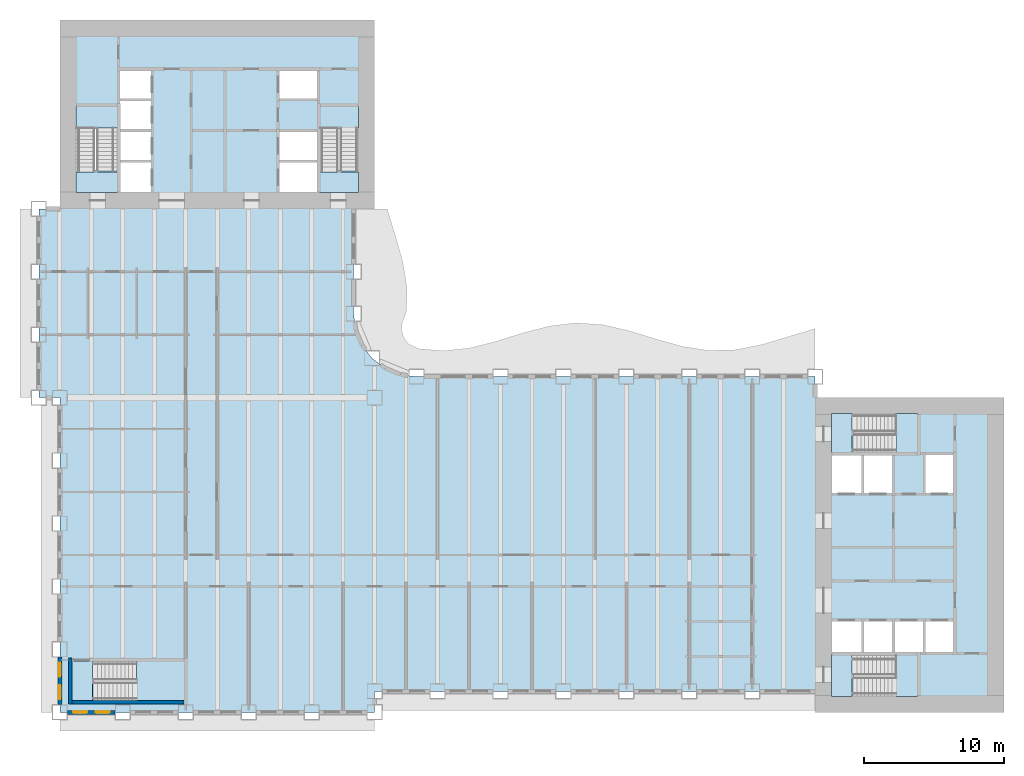
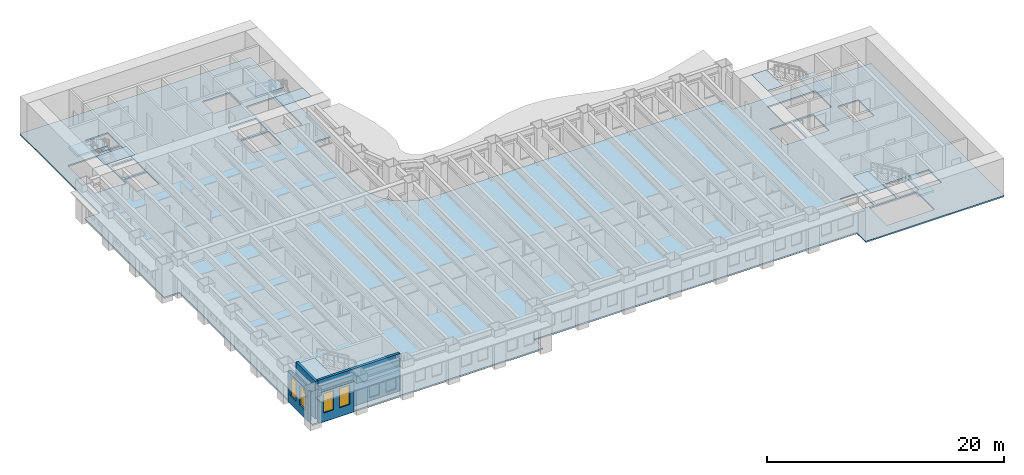
# One storey, part 2 of 15: 11 slabs, 4 walls, 4 windows, 4 openings, 5 elements without a shape of their own.
"""IFC4 building model written with IfcOpenShell, lengths in metres."""

from ifc_helpers import new_model, si_unit, direction, frame, frame_2d, origin, place, context, subcontext, project, spatial, polyline, rectangle, outline, extrude, material, layer, layer_set, type_object, element, fill, aggregate, save


model = new_model("IFC4")

# Units and contexts
model_context = context("Model", 3, precision=1e-05, world=origin(), true_north=direction((0.0, 1.0)))
body_context = subcontext(model_context, "Body", "Model", "MODEL_VIEW")
ifc_project = project(units=[si_unit("LENGTHUNIT", "METRE"), si_unit("AREAUNIT", "SQUARE_METRE"), si_unit("VOLUMEUNIT", "CUBIC_METRE"), si_unit("PLANEANGLEUNIT", "RADIAN"), si_unit("MASSUNIT", "GRAM", prefix="KILO")], contexts=[model_context])

# Site, building, storey
site_placement = place(None, origin())
site = spatial("IfcSite", under=ifc_project, at=site_placement, CompositionType="ELEMENT")
building_placement = place(site_placement, origin())
building = spatial("IfcBuilding", under=site, at=building_placement, Name="Sennacour Bend Tower", CompositionType="ELEMENT")
storey_placement = place(building_placement, frame((0.0, 0.0, 37.0)))
storey = spatial("IfcBuildingStorey", under=building, at=storey_placement, Name="L07", CompositionType="ELEMENT", Elevation=37.0)

# Slabs
ifc_material_1 = material(Name="Concrete C30/37", Category="concrete")
ifc_layer_1 = layer(ifc_material_1, 0.14990234375, Name="Concrete C30/37", Category="concrete")
ifc_layer_set_1 = layer_set([ifc_layer_1], Name="Concrete C30/37")
slab_type_1 = type_object("IfcSlabType", Name="Floor slab 150", PredefinedType="FLOOR", material=ifc_layer_set_1)
slab_1_placement = place(storey_placement, frame((0.0, 0.0, -0.14990234375)))
element("IfcSlab", 1, at=slab_1_placement, inside=storey, type_object=slab_type_1, Name="Floor slab L07-01", PredefinedType="FLOOR", context=body_context, shape_type="SweptSolid", body=[
    extrude(outline(polyline([(0.0, 22.5), (-1.5, 22.5), (-1.5, 36.0), (0.0, 36.0), (0.0, 49.5), (22.5, 49.5), (22.5, 36.0), (21.0, 36.0), (21.0, 28.5), (21.1533203125, 27.335205078125), (21.602783203125, 26.25), (22.318115234375, 25.318115234375), (23.25, 24.602783203125), (24.335205078125, 24.1533203125), (25.5, 24.0), (54.0, 24.0), (54.0, 22.5), (67.5, 22.5), (67.5, 0.0), (54.0, 0.0), (54.0, 1.5), (22.5, 1.5), (22.5, 0.0), (0.0, 0.0), (0.0, 22.5)]), holes=[polyline([(8.800048828125, 0.949951171875), (8.800048828125, 3.5), (2.429931640625, 3.5), (2.429931640625, 0.949951171875), (8.800048828125, 0.949951171875)]), polyline([(6.5, 37.199951171875), (6.5, 39.300048828125), (4.300048828125, 39.300048828125), (4.300048828125, 37.199951171875), (6.5, 37.199951171875)]), polyline([(18.39990234375, 37.199951171875), (18.39990234375, 39.300048828125), (15.699951171875, 39.300048828125), (15.699951171875, 37.199951171875), (18.39990234375, 37.199951171875)]), polyline([(6.5, 39.5), (6.5, 41.5), (4.300048828125, 41.5), (4.300048828125, 39.5), (6.5, 39.5)]), polyline([(18.39990234375, 39.5), (18.39990234375, 41.5), (15.699951171875, 41.5), (15.699951171875, 39.5), (18.39990234375, 39.5)]), polyline([(4.125, 38.72998046875), (4.125, 43.39990234375), (1.14990234375, 43.39990234375), (1.14990234375, 38.72998046875), (4.125, 38.72998046875)]), polyline([(21.35009765625, 38.72998046875), (21.35009765625, 43.39990234375), (18.574951171875, 43.39990234375), (18.574951171875, 38.72998046875), (21.35009765625, 38.72998046875)]), polyline([(4.300048828125, 41.699951171875), (6.5, 41.699951171875), (6.5, 43.699951171875), (4.300048828125, 43.699951171875), (4.300048828125, 41.699951171875)]), polyline([(4.300048828125, 43.89990234375), (6.5, 43.89990234375), (6.5, 45.89990234375), (4.300048828125, 45.89990234375), (4.300048828125, 43.89990234375)]), polyline([(18.39990234375, 43.89990234375), (18.39990234375, 45.89990234375), (15.699951171875, 45.89990234375), (15.699951171875, 43.89990234375), (18.39990234375, 43.89990234375)]), polyline([(61.39990234375, 1.14990234375), (61.39990234375, 4.125), (56.72998046875, 4.125), (56.72998046875, 1.14990234375), (61.39990234375, 1.14990234375)]), polyline([(57.300048828125, 4.300048828125), (57.300048828125, 6.5), (55.199951171875, 6.5), (55.199951171875, 4.300048828125), (57.300048828125, 4.300048828125)]), polyline([(57.5, 4.300048828125), (59.5, 4.300048828125), (59.5, 6.5), (57.5, 6.5), (57.5, 4.300048828125)]), polyline([(59.699951171875, 4.300048828125), (61.699951171875, 4.300048828125), (61.699951171875, 6.5), (59.699951171875, 6.5), (59.699951171875, 4.300048828125)]), polyline([(63.89990234375, 4.300048828125), (63.89990234375, 6.5), (61.89990234375, 6.5), (61.89990234375, 4.300048828125), (63.89990234375, 4.300048828125)]), polyline([(57.300048828125, 15.699951171875), (57.300048828125, 18.39990234375), (55.199951171875, 18.39990234375), (55.199951171875, 15.699951171875), (57.300048828125, 15.699951171875)]), polyline([(59.5, 15.699951171875), (59.5, 18.39990234375), (57.5, 18.39990234375), (57.5, 15.699951171875), (59.5, 15.699951171875)]), polyline([(61.89990234375, 15.699951171875), (63.89990234375, 15.699951171875), (63.89990234375, 18.39990234375), (61.89990234375, 18.39990234375), (61.89990234375, 15.699951171875)]), polyline([(56.72998046875, 18.574951171875), (61.39990234375, 18.574951171875), (61.39990234375, 21.35009765625), (56.72998046875, 21.35009765625), (56.72998046875, 18.574951171875)])]), origin(), (0.0, 0.0, 1.0), 0.14990234375),
])
ifc_material_2 = material(Name="Concrete C40/50", Category="concrete")
ifc_layer_2 = layer(ifc_material_2, 0.034912109375, Name="Concrete C40/50", Category="concrete")
ifc_layer_set_2 = layer_set([ifc_layer_2], Name="Concrete C40/50")
slab_type_2 = type_object("IfcSlabType", Name="Stair arrival nib 35", PredefinedType="FLOOR", material=ifc_layer_set_2)
slab_2_placement = place(storey_placement, frame((0.0, 0.0, 3.815185546875)))
element("IfcSlab", 2, at=slab_2_placement, inside=storey, type_object=slab_type_2, Name="L07 SA1 stair arrival nib", PredefinedType="FLOOR", context=body_context, shape_type="SweptSolid", body=[
    extrude(outline(polyline([(56.64208984375, 4.125), (55.14990234375, 4.125), (55.14990234375, 1.14990234375), (56.64208984375, 1.14990234375), (56.64208984375, 4.125)])), origin(), (0.0, 0.0, 1.0), 0.034912109375),
])
slab_3_placement = place(storey_placement, frame((0.0, 0.0, 3.815185546875)))
element("IfcSlab", 3, at=slab_3_placement, inside=storey, type_object=slab_type_2, Name="L07 SA2 stair arrival nib", PredefinedType="FLOOR", context=body_context, shape_type="SweptSolid", body=[
    extrude(outline(polyline([(56.64208984375, 21.35009765625), (55.14990234375, 21.35009765625), (55.14990234375, 18.574951171875), (56.64208984375, 18.574951171875), (56.64208984375, 21.35009765625)])), origin(), (0.0, 0.0, 1.0), 0.034912109375),
])
slab_4_placement = place(storey_placement, frame((0.0, 0.0, 3.815185546875)))
element("IfcSlab", 4, at=slab_4_placement, inside=storey, type_object=slab_type_2, Name="L07 SB1 stair arrival nib", PredefinedType="FLOOR", context=body_context, shape_type="SweptSolid", body=[
    extrude(outline(polyline([(1.14990234375, 38.64208984375), (1.14990234375, 37.14990234375), (4.125, 37.14990234375), (4.125, 38.64208984375), (1.14990234375, 38.64208984375)])), origin(), (0.0, 0.0, 1.0), 0.034912109375),
])
slab_5_placement = place(storey_placement, frame((0.0, 0.0, 3.815185546875)))
element("IfcSlab", 5, at=slab_5_placement, inside=storey, type_object=slab_type_2, Name="L07 SB2 stair arrival nib", PredefinedType="FLOOR", context=body_context, shape_type="SweptSolid", body=[
    extrude(outline(polyline([(18.574951171875, 38.64208984375), (18.574951171875, 37.14990234375), (21.35009765625, 37.14990234375), (21.35009765625, 38.64208984375), (18.574951171875, 38.64208984375)])), origin(), (0.0, 0.0, 1.0), 0.034912109375),
])
slab_6_placement = place(storey_placement, frame((0.0, 0.0, 3.815185546875)))
element("IfcSlab", 6, at=slab_6_placement, inside=storey, type_object=slab_type_2, Name="L07 SK1 stair arrival nib", PredefinedType="FLOOR", context=body_context, shape_type="SweptSolid", body=[
    extrude(outline(polyline([(2.342041015625, 3.675048828125), (0.800048828125, 3.675048828125), (0.800048828125, 0.800048828125), (2.342041015625, 0.800048828125), (2.342041015625, 3.675048828125)])), origin(), (0.0, 0.0, 1.0), 0.034912109375),
])

# Stair, slab
stair_type = type_object("IfcStairType", Name="ST-DOGLEG", PredefinedType="HALF_TURN_STAIR", material=ifc_material_2)
stair_1_placement = place(storey_placement, origin())
stair_1 = element("IfcStair", 7, at=stair_1_placement, inside=storey, type_object=stair_type, Name="L07 Exit stair A1", PredefinedType="HALF_TURN_STAIR")
ifc_layer_3 = layer(ifc_material_2, 0.199951171875, Name="Concrete C40/50", Category="concrete")
ifc_layer_set_3 = layer_set([ifc_layer_3], Name="Concrete C40/50")
slab_type_3 = type_object("IfcSlabType", Name="Stair landing 200", PredefinedType="LANDING", material=ifc_layer_set_3)
slab_7_placement = place(storey_placement, frame((0.0, 0.0, 1.800048828125)))
slab_7 = element("IfcSlab", 8, at=slab_7_placement, type_object=slab_type_3, Name="SA1 landing 1", PredefinedType="LANDING", context=body_context, shape_type="SweptSolid", body=[
    extrude(outline(polyline([(59.780029296875, 1.14990234375), (61.324951171875, 1.14990234375), (61.324951171875, 4.125), (59.780029296875, 4.125), (59.780029296875, 1.14990234375)])), origin(), (0.0, 0.0, 1.0), 0.199951171875),
])
aggregate(stair_1, [slab_7])

stair_2_placement = place(storey_placement, origin())
stair_2 = element("IfcStair", 9, at=stair_2_placement, inside=storey, type_object=stair_type, Name="L07 Exit stair A2", PredefinedType="HALF_TURN_STAIR")
slab_8_placement = place(storey_placement, frame((0.0, 0.0, 1.800048828125)))
slab_8 = element("IfcSlab", 10, at=slab_8_placement, type_object=slab_type_3, Name="SA2 landing 1", PredefinedType="LANDING", context=body_context, shape_type="SweptSolid", body=[
    extrude(outline(polyline([(59.780029296875, 18.574951171875), (61.324951171875, 18.574951171875), (61.324951171875, 21.35009765625), (59.780029296875, 21.35009765625), (59.780029296875, 18.574951171875)])), origin(), (0.0, 0.0, 1.0), 0.199951171875),
])
aggregate(stair_2, [slab_8])

stair_3_placement = place(storey_placement, origin())
stair_3 = element("IfcStair", 11, at=stair_3_placement, inside=storey, type_object=stair_type, Name="L07 Exit stair B1", PredefinedType="HALF_TURN_STAIR")
slab_9_placement = place(storey_placement, frame((0.0, 0.0, 1.800048828125)))
slab_9 = element("IfcSlab", 12, at=slab_9_placement, type_object=slab_type_3, Name="SB1 landing 1", PredefinedType="LANDING", context=body_context, shape_type="SweptSolid", body=[
    extrude(outline(polyline([(1.14990234375, 41.780029296875), (4.125, 41.780029296875), (4.125, 43.324951171875), (1.14990234375, 43.324951171875), (1.14990234375, 41.780029296875)])), origin(), (0.0, 0.0, 1.0), 0.199951171875),
])
aggregate(stair_3, [slab_9])

stair_4_placement = place(storey_placement, origin())
stair_4 = element("IfcStair", 13, at=stair_4_placement, inside=storey, type_object=stair_type, Name="L07 Exit stair B2", PredefinedType="HALF_TURN_STAIR")
slab_10_placement = place(storey_placement, frame((0.0, 0.0, 1.800048828125)))
slab_10 = element("IfcSlab", 14, at=slab_10_placement, type_object=slab_type_3, Name="SB2 landing 1", PredefinedType="LANDING", context=body_context, shape_type="SweptSolid", body=[
    extrude(outline(polyline([(18.574951171875, 41.780029296875), (21.35009765625, 41.780029296875), (21.35009765625, 43.324951171875), (18.574951171875, 43.324951171875), (18.574951171875, 41.780029296875)])), origin(), (0.0, 0.0, 1.0), 0.199951171875),
])
aggregate(stair_4, [slab_10])

stair_5_placement = place(storey_placement, origin())
stair_5 = element("IfcStair", 15, at=stair_5_placement, inside=storey, type_object=stair_type, Name="L07 Exit stair K1", PredefinedType="HALF_TURN_STAIR")
slab_11_placement = place(storey_placement, frame((0.0, 0.0, 1.800048828125)))
slab_11 = element("IfcSlab", 16, at=slab_11_placement, type_object=slab_type_3, Name="SK1 landing 1", PredefinedType="LANDING", context=body_context, shape_type="SweptSolid", body=[
    extrude(outline(polyline([(5.47998046875, 0.800048828125), (8.925048828125, 0.800048828125), (8.925048828125, 3.675048828125), (5.47998046875, 3.675048828125), (5.47998046875, 0.800048828125)])), origin(), (0.0, 0.0, 1.0), 0.199951171875),
])
aggregate(stair_5, [slab_11])

# Wall, openings, windows
ifc_material_3 = material(Name="Warm limestone cladding", Category="masonry")
ifc_layer_4 = layer(ifc_material_3, 0.050048828125, Name="Warm limestone cladding", Category="masonry")
ifc_material_4 = material(Name="Precast concrete C40/50", Category="concrete")
ifc_layer_5 = layer(ifc_material_4, 0.25, Name="Precast concrete C40/50", Category="concrete")
ifc_layer_set_4 = layer_set([ifc_layer_4, ifc_layer_5], Name="Precast concrete C40/50 with limestone cladding")
wall_type_1 = type_object("IfcWallType", Name="STONE-CLAD PRECAST SPANDREL 300", PredefinedType="STANDARD", material=ifc_layer_set_4)
wall_1_placement = place(storey_placement, frame((0.550048828125, 0.0, 0.0), z_axis=(0.0, 0.0, 1.0), x_axis=(1.0, 0.0, 0.0)))
wall_1 = element("IfcWall", 17, at=wall_1_placement, inside=storey, type_object=wall_type_1, Name="Stone spandrel and pier wall L07 00.00", PredefinedType="STANDARD", context=body_context, shape_type="SweptSolid", body=[
    extrude(rectangle(XDim=3.39990234375, YDim=0.300048828125, at=frame_2d((1.699951171875, 0.0))), origin(), (0.0, 0.0, 1.0), 3.14404296875),
])
opening_1_placement = place(wall_1_placement, frame((0.39990234375, 0.0, 0.89990234375)))
opening_1 = element("IfcOpeningElement", 18, at=opening_1_placement, cuts=wall_1, Name="Opening W8", PredefinedType="OPENING", context=body_context, shape_type="SweptSolid", body=[
    extrude(rectangle(XDim=1.0, YDim=2.0, at=frame_2d((0.5, 1.0))), frame((0.0, 0.16015625, 0.0), z_axis=(0.0, -1.0, 0.0), x_axis=(1.0, 0.0, 0.0)), (0.0, 0.0, 1.0), 0.320068359375),
])
opening_2_placement = place(wall_1_placement, frame((2.0, 0.0, 0.89990234375)))
opening_2 = element("IfcOpeningElement", 19, at=opening_2_placement, cuts=wall_1, Name="Opening W8", PredefinedType="OPENING", context=body_context, shape_type="SweptSolid", body=[
    extrude(rectangle(XDim=1.0, YDim=2.0, at=frame_2d((0.5, 1.0))), frame((0.0, 0.16015625, 0.0), z_axis=(0.0, -1.0, 0.0), x_axis=(1.0, 0.0, 0.0)), (0.0, 0.0, 1.0), 0.320068359375),
])
ifc_material_5 = material(Name="Clear low-emissivity glass", Category="glass")
window_type = type_object("IfcWindowType", Name="WIN-RIBBON-1000x2000", PartitioningType="SINGLE_PANEL", PredefinedType="WINDOW", material=ifc_material_5)
window_1_placement = place(opening_1_placement, origin())
window_1 = element("IfcWindow", 20, at=window_1_placement, inside=storey, type_object=window_type, Name="Ribbon window L07 00.00.0", OverallHeight=2.0, OverallWidth=1.0, PartitioningType="SINGLE_PANEL", PredefinedType="WINDOW", context=body_context, shape_type="SweptSolid", body=[
    extrude(rectangle(XDim=1.0, YDim=2.0, at=frame_2d((0.5, 1.0))), frame((0.0, 0.030029296875, 0.0), z_axis=(0.0, -1.0, 0.0), x_axis=(1.0, 0.0, 0.0)), (0.0, 0.0, 1.0), 0.06005859375),
])
fill(opening_1, window_1)
window_2_placement = place(opening_2_placement, origin())
window_2 = element("IfcWindow", 21, at=window_2_placement, inside=storey, type_object=window_type, Name="Ribbon window L07 00.00.1", OverallHeight=2.0, OverallWidth=1.0, PartitioningType="SINGLE_PANEL", PredefinedType="WINDOW", context=body_context, shape_type="SweptSolid", body=[
    extrude(rectangle(XDim=1.0, YDim=2.0, at=frame_2d((0.5, 1.0))), frame((0.0, 0.030029296875, 0.0), z_axis=(0.0, -1.0, 0.0), x_axis=(1.0, 0.0, 0.0)), (0.0, 0.0, 1.0), 0.06005859375),
])
fill(opening_2, window_2)

wall_2_placement = place(storey_placement, frame((0.0, 3.949951171875, 0.0), z_axis=(0.0, 0.0, 1.0), x_axis=(0.0, -1.0, 0.0)))
wall_2 = element("IfcWall", 22, at=wall_2_placement, inside=storey, type_object=wall_type_1, Name="Stone spandrel and pier wall L07 23.04", PredefinedType="STANDARD", context=body_context, shape_type="SweptSolid", body=[
    extrude(rectangle(XDim=3.39990234375, YDim=0.300048828125, at=frame_2d((1.699951171875, 0.0))), origin(), (0.0, 0.0, 1.0), 3.14404296875),
])
opening_3_placement = place(wall_2_placement, frame((0.39990234375, 0.0, 0.89990234375)))
opening_3 = element("IfcOpeningElement", 23, at=opening_3_placement, cuts=wall_2, Name="Opening W8", PredefinedType="OPENING", context=body_context, shape_type="SweptSolid", body=[
    extrude(rectangle(XDim=1.0, YDim=2.0, at=frame_2d((0.5, 1.0))), frame((0.0, 0.16015625, 0.0), z_axis=(0.0, -1.0, 0.0), x_axis=(1.0, 0.0, 0.0)), (0.0, 0.0, 1.0), 0.320068359375),
])
opening_4_placement = place(wall_2_placement, frame((2.0, 0.0, 0.89990234375)))
opening_4 = element("IfcOpeningElement", 24, at=opening_4_placement, cuts=wall_2, Name="Opening W8", PredefinedType="OPENING", context=body_context, shape_type="SweptSolid", body=[
    extrude(rectangle(XDim=1.0, YDim=2.0, at=frame_2d((0.5, 1.0))), frame((0.0, 0.16015625, 0.0), z_axis=(0.0, -1.0, 0.0), x_axis=(1.0, 0.0, 0.0)), (0.0, 0.0, 1.0), 0.320068359375),
])
window_3_placement = place(opening_3_placement, origin())
window_3 = element("IfcWindow", 25, at=window_3_placement, inside=storey, type_object=window_type, Name="Ribbon window L07 23.04.0", OverallHeight=2.0, OverallWidth=1.0, PartitioningType="SINGLE_PANEL", PredefinedType="WINDOW", context=body_context, shape_type="SweptSolid", body=[
    extrude(rectangle(XDim=1.0, YDim=2.0, at=frame_2d((0.5, 1.0))), frame((0.0, 0.030029296875, 0.0), z_axis=(0.0, -1.0, 0.0), x_axis=(1.0, 0.0, 0.0)), (0.0, 0.0, 1.0), 0.06005859375),
])
fill(opening_3, window_3)
window_4_placement = place(opening_4_placement, origin())
window_4 = element("IfcWindow", 26, at=window_4_placement, inside=storey, type_object=window_type, Name="Ribbon window L07 23.04.1", OverallHeight=2.0, OverallWidth=1.0, PartitioningType="SINGLE_PANEL", PredefinedType="WINDOW", context=body_context, shape_type="SweptSolid", body=[
    extrude(rectangle(XDim=1.0, YDim=2.0, at=frame_2d((0.5, 1.0))), frame((0.0, 0.030029296875, 0.0), z_axis=(0.0, -1.0, 0.0), x_axis=(1.0, 0.0, 0.0)), (0.0, 0.0, 1.0), 0.06005859375),
])
fill(opening_4, window_4)

# Walls
ifc_material_6 = material(Name="Concrete C60/75", Category="concrete")
ifc_layer_6 = layer(ifc_material_6, 0.25, Name="Concrete C60/75", Category="concrete")
ifc_layer_set_5 = layer_set([ifc_layer_6], Name="Concrete C60/75")
wall_type_2 = type_object("IfcWallType", Name="Stair wall 250", PredefinedType="SHEAR", material=ifc_layer_set_5)
wall_3_placement = place(storey_placement, frame((0.72509765625, 0.60009765625, 0.0), z_axis=(0.0, 0.0, 1.0), x_axis=(0.0, 1.0, 0.0)))
element("IfcWall", 27, at=wall_3_placement, inside=storey, type_object=wall_type_2, Name="P-L07-W003", PredefinedType="SHEAR", context=body_context, shape_type="SweptSolid", body=[
    extrude(rectangle(XDim=3.27490234375, YDim=0.25, at=frame_2d((1.637451171875, 0.0))), origin(), (0.0, 0.0, 1.0), 3.85009765625),
])
wall_4_placement = place(storey_placement, frame((0.85009765625, 0.72509765625, 0.0), z_axis=(0.0, 0.0, 1.0), x_axis=(1.0, 0.0, 0.0)))
element("IfcWall", 28, at=wall_4_placement, inside=storey, type_object=wall_type_2, Name="P-L07-W048", PredefinedType="SHEAR", context=body_context, shape_type="SweptSolid", body=[
    extrude(rectangle(XDim=8.02490234375, YDim=0.25, at=frame_2d((4.012451171875, 0.0))), origin(), (0.0, 0.0, 1.0), 3.85009765625),
])

save(model, "model.ifc")
